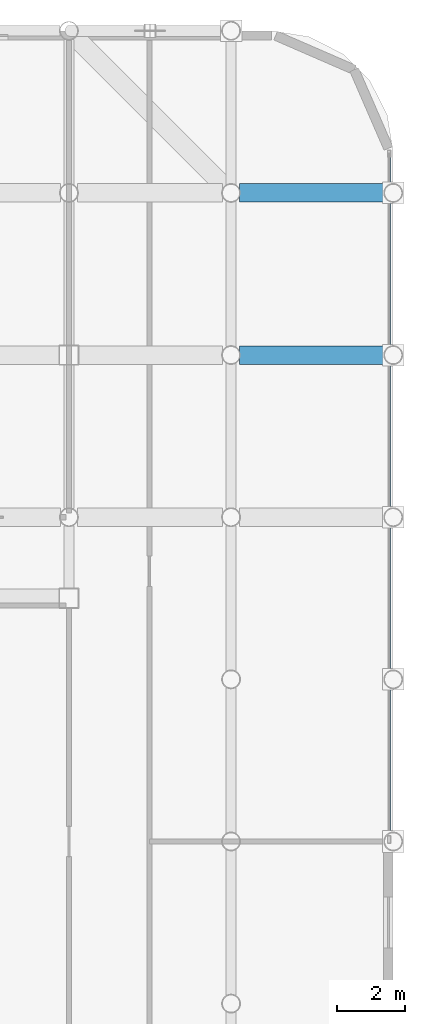
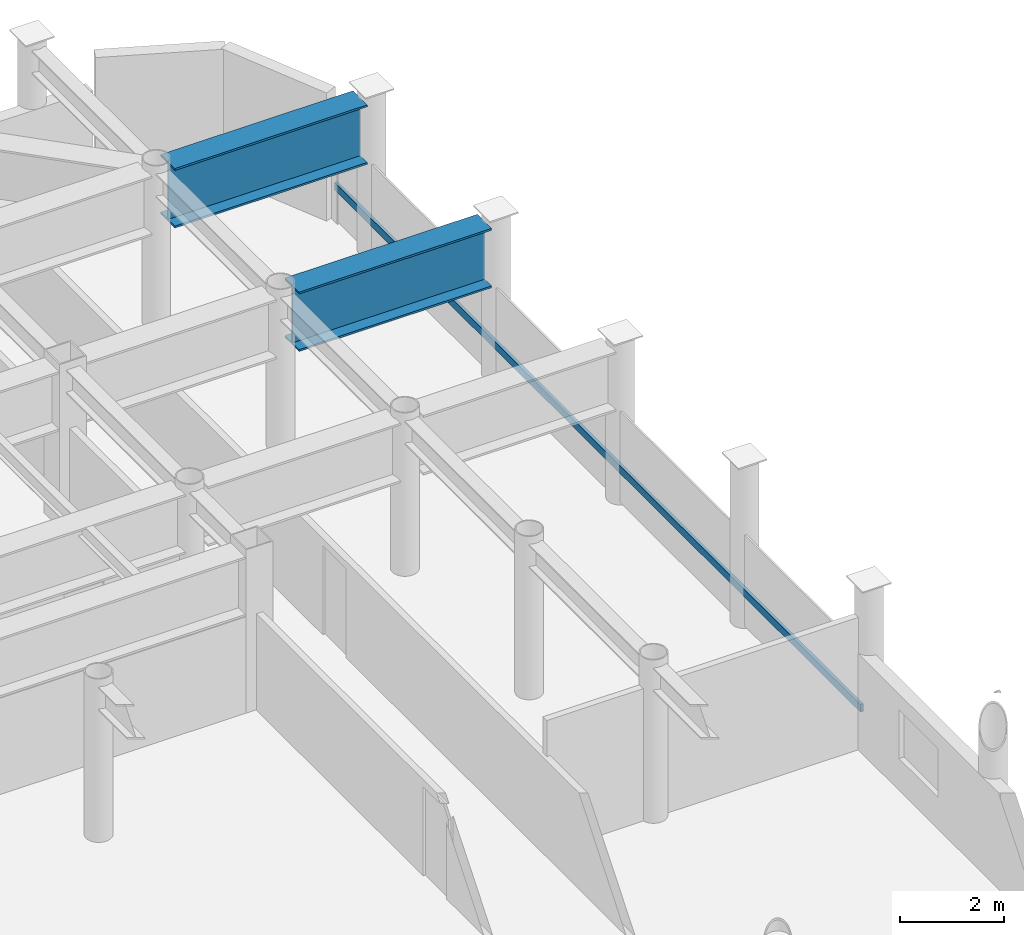
# One storey, part 18 of 27: 2 beams, 1 member, 1 element without a shape of its own.
"""IFC4 building model written with IfcOpenShell, lengths in metres."""

from ifc_helpers import new_model, si_unit, direction, frame, origin, origin_2d, place, context, subcontext, project, spatial, hollow_rectangle, i_section, extrude, material, layer, layer_set, material_profile, profile_set, type_object, element, aggregate, save


model = new_model("IFC4")

# Units and contexts
model_context = context("Model", 3, precision=1e-05, world=origin(), true_north=direction((0.0, 1.0)))
body_context = subcontext(model_context, "Body", "Model", "MODEL_VIEW")
ifc_project = project(units=[si_unit("LENGTHUNIT", "METRE"), si_unit("AREAUNIT", "SQUARE_METRE"), si_unit("VOLUMEUNIT", "CUBIC_METRE"), si_unit("PLANEANGLEUNIT", "RADIAN"), si_unit("MASSUNIT", "GRAM", prefix="KILO")], contexts=[model_context])

# Site, building, storey
site_placement = place(None, origin())
site = spatial("IfcSite", under=ifc_project, at=site_placement, CompositionType="ELEMENT")
building_placement = place(site_placement, origin())
building = spatial("IfcBuilding", under=site, at=building_placement, Name="Kallvorn Hotel Tower", CompositionType="ELEMENT")
storey_placement = place(building_placement, frame((0.0, 0.0, 245.39990234375)))
storey = spatial("IfcBuildingStorey", under=building, at=storey_placement, Name="L61", CompositionType="ELEMENT", Elevation=245.39990234375)

# Beams
ifc_material_1 = material(Name="Structural steel S355JR", Category="steel")
ifc_material_profile_1 = material_profile(ifc_material_1, i_section(OverallWidth=0.550048828125, OverallDepth=1.39990234375, WebThickness=0.02490234375, FlangeThickness=0.044921875, at=origin_2d()), Name="PG 1400x550x25x45")
ifc_profile_set_1 = profile_set([ifc_material_profile_1], Name="Structural steel S355JR")
beam_type = type_object("IfcBeamType", Name="BM_PG_1400", PredefinedType="BEAM", material=ifc_profile_set_1)
for number, where, z_axis, x_axis, name in (
    (1, (29.054443359375, 14.39990234375, 2.97021484375), (1.0, 0.0, 0.0), (0.0, 1.0, 0.0), "L62 Primary X-Girder 68"),
    (2, (29.054443359375, 19.199951171875, 2.97021484375), (1.0, 0.0, 0.0), (0.0, 1.0, 0.0), "L62 Primary X-Girder 81"),
):
    element("IfcBeam", number, at=place(storey_placement, frame(where, z_axis=z_axis, x_axis=x_axis)), inside=storey, type_object=beam_type, Name=name, PredefinedType="BEAM", context=body_context, shape_type="SweptSolid", body=[
        extrude(i_section(OverallWidth=0.550048828125, OverallDepth=1.39990234375, WebThickness=0.02490234375, FlangeThickness=0.044921875, at=origin_2d()), origin(), (0.0, 0.0, 1.0), 4.291015625),
    ])

# Curtain wall, member
ifc_material_2 = material(Name="Thermally broken black-anodised aluminium AA 6063-T6", Category="aluminium")
ifc_layer = layer(ifc_material_2, 0.22998046875)
ifc_layer_set = layer_set([ifc_layer], Name="CW_SYS_5_HOTEL_HIGH")
curtain_wall_type = type_object("IfcCurtainWallType", Name="CW_SYS_5_HOTEL_HIGH", PredefinedType="USERDEFINED", material=ifc_layer_set)
curtain_wall_placement = place(storey_placement, origin())
curtain_wall = element("IfcCurtainWall", 3, at=curtain_wall_placement, inside=storey, type_object=curtain_wall_type, Name="L61 Dark-Glass Curtain Wall CW-L61-EN", ObjectType="UNITISED CURTAIN WALL", PredefinedType="USERDEFINED")
ifc_material_3 = material(Name="Thermally broken black-anodised aluminium AA 6063-T6", Category="aluminium")
ifc_material_profile_2 = material_profile(ifc_material_3, hollow_rectangle(XDim=0.070068359375, YDim=0.179931640625, WallThickness=0.00390625, at=origin_2d()), Name="TRN 180x70")
ifc_profile_set_2 = profile_set([ifc_material_profile_2], Name="Thermally broken black-anodised aluminium AA 6063-T6")
member_type = type_object("IfcMemberType", Name="CW_TRANSOM_180x70", PredefinedType="USERDEFINED", material=ifc_profile_set_2)
member_placement = place(storey_placement, frame((33.47998046875, 0.06005859375, 0.85009765625), z_axis=(0.0, 1.0, 0.0), x_axis=(-1.0, 0.0, 0.0)))
member = element("IfcMember", 4, at=member_placement, type_object=member_type, Name="CW-L61-EN Transom 00M", ObjectType="TRANSOM", PredefinedType="USERDEFINED", context=body_context, shape_type="SweptSolid", body=[
    extrude(hollow_rectangle(XDim=0.070068359375, YDim=0.179931640625, WallThickness=0.00390625, at=origin_2d()), origin(), (0.0, 0.0, 1.0), 20.300048828125),
])
aggregate(curtain_wall, [member])

save(model, "model.ifc")
